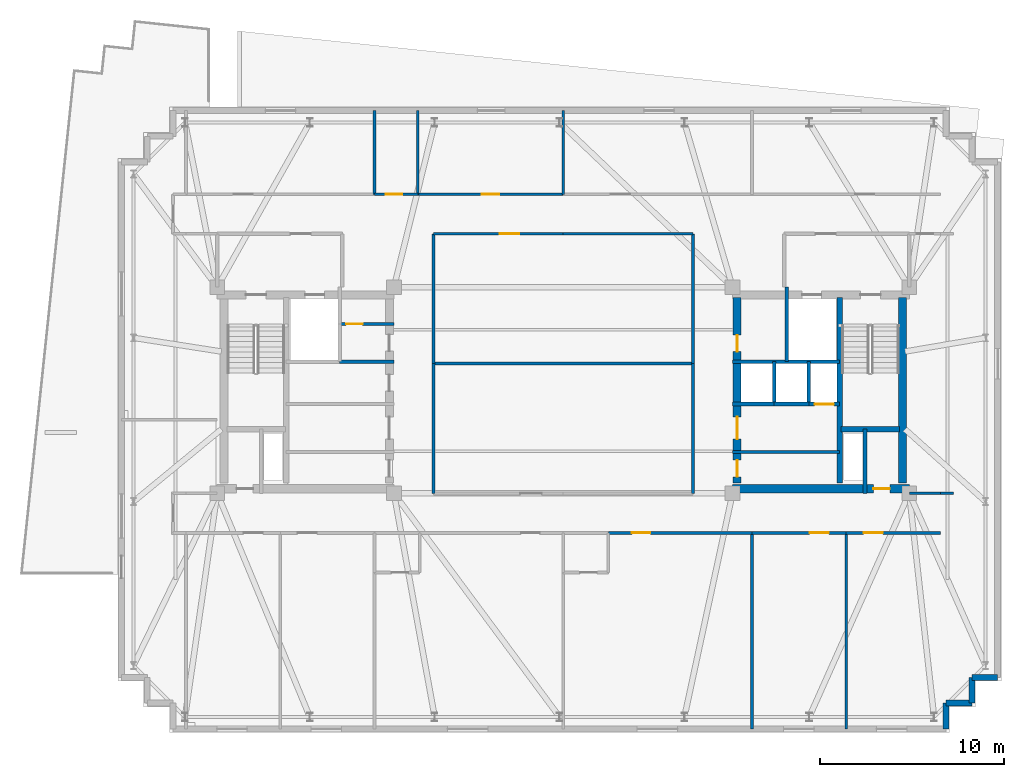
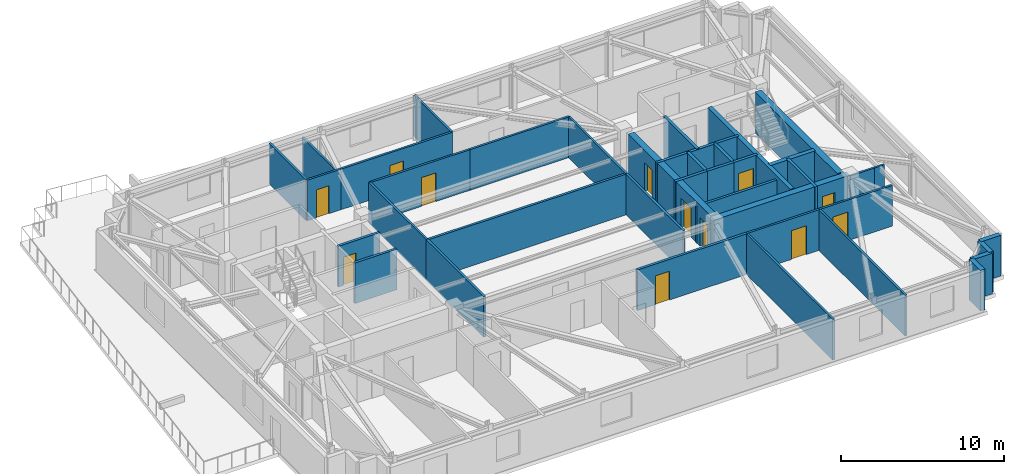
# One storey, part 7 of 12: 39 walls, 12 doors, 12 openings.
"""IFC4 building model written with IfcOpenShell, lengths in metres."""

from ifc_helpers import new_model, si_unit, direction, frame, frame_2d, origin, place, context, subcontext, project, spatial, rectangle, extrude, material, layer, layer_set, type_object, element, fill, save


model = new_model("IFC4")

# Units and contexts
model_context = context("Model", 3, precision=1e-05, world=origin(), true_north=direction((0.0, 1.0)))
body_context = subcontext(model_context, "Body", "Model", "MODEL_VIEW")
ifc_project = project(units=[si_unit("LENGTHUNIT", "METRE"), si_unit("AREAUNIT", "SQUARE_METRE"), si_unit("VOLUMEUNIT", "CUBIC_METRE"), si_unit("PLANEANGLEUNIT", "RADIAN"), si_unit("MASSUNIT", "GRAM", prefix="KILO")], contexts=[model_context])

# Site, building, storey
site_placement = place(None, origin())
site = spatial("IfcSite", under=ifc_project, at=site_placement, CompositionType="ELEMENT")
building_placement = place(site_placement, origin())
building = spatial("IfcBuilding", under=site, at=building_placement, Name="Qobustan Lattice House", CompositionType="ELEMENT")
storey_placement = place(building_placement, frame((0.0, 0.0, 228.300048828125)))
storey = spatial("IfcBuildingStorey", under=building, at=storey_placement, Name="L64", CompositionType="ELEMENT", Elevation=228.300048828125)

# Wall, opening, door
ifc_material_1 = material(Name="Concrete C50/60", Category="concrete")
ifc_layer_1 = layer(ifc_material_1, 0.43994140625)
ifc_layer_set_1 = layer_set([ifc_layer_1], Name="Concrete C50/60")
wall_type_1 = type_object("IfcWallType", Name="WAL-CORE-440", PredefinedType="SHEAR", material=ifc_layer_set_1)
wall_1_placement = place(storey_placement, frame((9.199951171875, -5.35009765625, 0.0), z_axis=(0.0, 0.0, 1.0), x_axis=(1.0, 0.0, 0.0)))
wall_1 = element("IfcWall", 1, at=wall_1_placement, inside=storey, type_object=wall_type_1, Name="L64 split-core shear wall CE-S", PredefinedType="SHEAR", context=body_context, shape_type="SweptSolid", body=[
    extrude(rectangle(XDim=9.60009765625, YDim=0.43994140625, at=frame_2d((4.800048828125, 0.0))), origin(), (0.0, 0.0, 1.0), 3.0400390625),
])
opening_1_placement = place(wall_1_placement, frame((7.64990234375, 0.0, 0.0)))
opening_1 = element("IfcOpeningElement", 2, at=opening_1_placement, cuts=wall_1, Name="Opening RD-01", PredefinedType="OPENING", context=body_context, shape_type="SweptSolid", body=[
    extrude(rectangle(XDim=0.89990234375, YDim=2.10009765625, at=frame_2d((0.449951171875, 1.050048828125))), frame((0.0, 0.22998046875, 0.0), z_axis=(0.0, -1.0, 0.0), x_axis=(1.0, 0.0, 0.0)), (0.0, 0.0, 1.0), 0.4599609375),
])
ifc_material_2 = material(Name="Persian walnut timber and steel frame door", Category="steel")
door_type_1 = type_object("IfcDoorType", Name="DOR-RISER-FD-900x2100", OperationType="NOTDEFINED", PredefinedType="DOOR", material=ifc_material_2)
door_1_placement = place(opening_1_placement, origin())
door_1 = element("IfcDoor", 3, at=door_1_placement, inside=storey, type_object=door_type_1, Name="L64 core service riser access door E", OperationType="SINGLE_SWING_RIGHT", OverallHeight=2.10009765625, OverallWidth=0.89990234375, PredefinedType="DOOR", context=body_context, shape_type="SweptSolid", body=[
    extrude(rectangle(XDim=0.89990234375, YDim=2.10009765625, at=frame_2d((0.449951171875, 1.050048828125))), frame((0.0, 0.02490234375, 0.0), z_axis=(0.0, -1.0, 0.0), x_axis=(1.0, 0.0, 0.0)), (0.0, 0.0, 1.0), 0.050048828125),
])
fill(opening_1, door_1)

# Wall, openings, doors
wall_2_placement = place(storey_placement, frame((9.449951171875, -5.050048828125, 0.0), z_axis=(0.0, 0.0, 1.0), x_axis=(0.0, 1.0, 0.0)))
wall_2 = element("IfcWall", 4, at=wall_2_placement, inside=storey, type_object=wall_type_1, Name="L64 split-core shear wall CE-W", PredefinedType="SHEAR", context=body_context, shape_type="SweptSolid", body=[
    extrude(rectangle(XDim=10.10009765625, YDim=0.43994140625, at=frame_2d((5.050048828125, 0.0))), origin(), (0.0, 0.0, 1.0), 3.0400390625),
])
opening_2_placement = place(wall_2_placement, frame((7.14990234375, 0.0, 0.0)))
opening_2 = element("IfcOpeningElement", 5, at=opening_2_placement, cuts=wall_2, Name="Opening RD-01", PredefinedType="OPENING", context=body_context, shape_type="SweptSolid", body=[
    extrude(rectangle(XDim=0.89990234375, YDim=2.10009765625, at=frame_2d((0.449951171875, 1.050048828125))), frame((0.0, 0.22998046875, 0.0), z_axis=(0.0, -1.0, 0.0), x_axis=(1.0, 0.0, 0.0)), (0.0, 0.0, 1.0), 0.4599609375),
])
opening_3_placement = place(wall_2_placement, frame((2.39990234375, 0.0, 0.0)))
opening_3 = element("IfcOpeningElement", 6, at=opening_3_placement, cuts=wall_2, Name="Opening FD-01", PredefinedType="OPENING", context=body_context, shape_type="SweptSolid", body=[
    extrude(rectangle(XDim=1.199951171875, YDim=2.14990234375, at=frame_2d((0.60009765625, 1.074951171875))), frame((0.0, 0.22998046875, 0.0), z_axis=(0.0, -1.0, 0.0), x_axis=(1.0, 0.0, 0.0)), (0.0, 0.0, 1.0), 0.4599609375),
])
opening_4_placement = place(wall_2_placement, frame((0.35009765625, 0.0, 0.0)))
opening_4 = element("IfcOpeningElement", 7, at=opening_4_placement, cuts=wall_2, Name="Opening RD-01", PredefinedType="OPENING", context=body_context, shape_type="SweptSolid", body=[
    extrude(rectangle(XDim=0.89990234375, YDim=2.10009765625, at=frame_2d((0.449951171875, 1.050048828125))), frame((0.0, 0.22998046875, 0.0), z_axis=(0.0, -1.0, 0.0), x_axis=(1.0, 0.0, 0.0)), (0.0, 0.0, 1.0), 0.4599609375),
])
ifc_material_3 = material(Name="Persian walnut timber and steel frame door", Category="steel")
door_type_2 = type_object("IfcDoorType", Name="DOR-LOBBY-FD-1200x2150", OperationType="NOTDEFINED", PredefinedType="DOOR", material=ifc_material_3)
door_2_placement = place(opening_3_placement, origin())
door_2 = element("IfcDoor", 8, at=door_2_placement, inside=storey, type_object=door_type_2, Name="L64 East passenger lift lobby fire door", OperationType="SINGLE_SWING_LEFT", OverallHeight=2.14990234375, OverallWidth=1.199951171875, PredefinedType="DOOR", context=body_context, shape_type="SweptSolid", body=[
    extrude(rectangle(XDim=1.199951171875, YDim=2.14990234375, at=frame_2d((0.60009765625, 1.074951171875))), frame((0.0, 0.02490234375, 0.0), z_axis=(0.0, -1.0, 0.0), x_axis=(1.0, 0.0, 0.0)), (0.0, 0.0, 1.0), 0.050048828125),
])
fill(opening_3, door_2)
door_3_placement = place(opening_2_placement, origin())
door_3 = element("IfcDoor", 9, at=door_3_placement, inside=storey, type_object=door_type_1, Name="L64 Housekeeping linen store fire door", OperationType="SINGLE_SWING_RIGHT", OverallHeight=2.10009765625, OverallWidth=0.89990234375, PredefinedType="DOOR", context=body_context, shape_type="SweptSolid", body=[
    extrude(rectangle(XDim=0.89990234375, YDim=2.10009765625, at=frame_2d((0.449951171875, 1.050048828125))), frame((0.0, 0.02490234375, 0.0), z_axis=(0.0, -1.0, 0.0), x_axis=(1.0, 0.0, 0.0)), (0.0, 0.0, 1.0), 0.050048828125),
])
fill(opening_2, door_3)
door_4_placement = place(opening_4_placement, origin())
door_4 = element("IfcDoor", 10, at=door_4_placement, inside=storey, type_object=door_type_1, Name="L64 Graduate seminar alcove fire door", OperationType="SINGLE_SWING_RIGHT", OverallHeight=2.10009765625, OverallWidth=0.89990234375, PredefinedType="DOOR", context=body_context, shape_type="SweptSolid", body=[
    extrude(rectangle(XDim=0.89990234375, YDim=2.10009765625, at=frame_2d((0.449951171875, 1.050048828125))), frame((0.0, 0.02490234375, 0.0), z_axis=(0.0, -1.0, 0.0), x_axis=(1.0, 0.0, 0.0)), (0.0, 0.0, 1.0), 0.050048828125),
])
fill(opening_4, door_4)

# Walls
wall_3_placement = place(storey_placement, frame((18.429931640625, -5.050048828125, 0.0), z_axis=(0.0, 0.0, 1.0), x_axis=(0.0, 1.0, 0.0)))
element("IfcWall", 11, at=wall_3_placement, inside=storey, type_object=wall_type_1, Name="L64 split-core shear wall CE-E", PredefinedType="SHEAR", context=body_context, shape_type="SweptSolid", body=[
    extrude(rectangle(XDim=10.10009765625, YDim=0.43994140625, at=frame_2d((5.050048828125, 0.0))), origin(), (0.0, 0.0, 1.0), 3.0400390625),
])
ifc_material_4 = material(Name="Concrete C50/60", Category="concrete")
ifc_layer_2 = layer(ifc_material_4, 0.280029296875)
ifc_layer_set_2 = layer_set([ifc_layer_2], Name="Concrete C50/60")
wall_type_2 = type_object("IfcWallType", Name="WAL-CORE-SPINE-280", PredefinedType="SHEAR", material=ifc_layer_set_2)
wall_4_placement = place(storey_placement, frame((15.02001953125, -5.050048828125, 0.0), z_axis=(0.0, 0.0, 1.0), x_axis=(0.0, 1.0, 0.0)))
element("IfcWall", 12, at=wall_4_placement, inside=storey, type_object=wall_type_2, Name="L64 split-core shear wall CE-M", PredefinedType="SHEAR", context=body_context, shape_type="SweptSolid", body=[
    extrude(rectangle(XDim=10.10009765625, YDim=0.300048828125, at=frame_2d((5.050048828125, 0.0))), origin(), (0.0, 0.0, 1.0), 3.0400390625),
])
wall_5_placement = place(storey_placement, frame((15.10009765625, -2.110107421875, 0.0), z_axis=(0.0, 0.0, 1.0), x_axis=(1.0, 0.0, 0.0)))
element("IfcWall", 13, at=wall_5_placement, inside=storey, type_object=wall_type_2, Name="L64 split-core shear wall CE-ST", PredefinedType="SHEAR", context=body_context, shape_type="SweptSolid", body=[
    extrude(rectangle(XDim=3.179931640625, YDim=0.300048828125, at=frame_2d((1.58984375, 0.0))), origin(), (0.0, 0.0, 1.0), 3.0400390625),
])
ifc_material_5 = material(Name="Precast concrete C40/50", Category="concrete")
ifc_layer_3 = layer(ifc_material_5, 0.320068359375)
ifc_layer_set_3 = layer_set([ifc_layer_3], Name="Precast concrete C40/50")
wall_type_3 = type_object("IfcWallType", Name="WAL-EXT-STONE-320", PredefinedType="SOLIDWALL", material=ifc_layer_set_3)
wall_6_placement = place(storey_placement, frame((23.60009765625, -15.60009765625, 0.0), z_axis=(0.0, 0.0, 1.0), x_axis=(-1.0, 0.0, 0.0)))
element("IfcWall", 14, at=wall_6_placement, inside=storey, type_object=wall_type_3, Name="L64 exterior limestone-clad wall 16", PredefinedType="SOLIDWALL", context=body_context, shape_type="SweptSolid", body=[
    extrude(rectangle(XDim=1.400146484375, YDim=0.320068359375, at=frame_2d((0.7001953125, 0.0))), origin(), (0.0, 0.0, 1.0), 3.0400390625),
])
for number, where, z_axis, x_axis, name in (
    (15, (22.199951171875, -15.60009765625, 0.0), (0.0, 0.0, 1.0), (0.0, -1.0, 0.0), "L64 exterior limestone-clad wall 17"),
    (16, (22.199951171875, -17.0, 0.0), (0.0, 0.0, 1.0), (-1.0, 0.0, 0.0), "L64 exterior limestone-clad wall 18"),
    (17, (20.800048828125, -17.0, 0.0), (0.0, 0.0, 1.0), (0.0, -1.0, 0.0), "L64 exterior limestone-clad wall 19"),
):
    element("IfcWall", number, at=place(storey_placement, frame(where, z_axis=z_axis, x_axis=x_axis)), inside=storey, type_object=wall_type_3, Name=name, PredefinedType="SOLIDWALL", context=body_context, shape_type="SweptSolid", body=[
        extrude(rectangle(XDim=1.39990234375, YDim=0.320068359375, at=frame_2d((0.699951171875, 0.0))), origin(), (0.0, 0.0, 1.0), 3.0400390625),
    ])

# Wall, opening, door
ifc_material_6 = material(Name="Gypsum fireboard acoustic partition", Category="gypsum")
ifc_layer_4 = layer(ifc_material_6, 0.179931640625)
ifc_layer_set_4 = layer_set([ifc_layer_4], Name="Gypsum fireboard acoustic partition")
wall_type_4 = type_object("IfcWallType", Name="WAL-FIRE-180", PredefinedType="PARTITIONING", material=ifc_layer_set_4)
wall_7_placement = place(storey_placement, frame((-9.199951171875, 3.60009765625, 0.0), z_axis=(0.0, 0.0, 1.0), x_axis=(-1.0, 0.0, 0.0)))
wall_7 = element("IfcWall", 18, at=wall_7_placement, inside=storey, type_object=wall_type_4, Name="L64 interior partition 7", PredefinedType="PARTITIONING", context=body_context, shape_type="SweptSolid", body=[
    extrude(rectangle(XDim=2.949951171875, YDim=0.179931640625, at=frame_2d((1.47509765625, 0.0))), origin(), (0.0, 0.0, 1.0), 3.0400390625),
])
opening_5_placement = place(wall_7_placement, frame((1.699951171875, 0.0, 0.0)))
opening_5 = element("IfcOpeningElement", 19, at=opening_5_placement, cuts=wall_7, Name="Opening RD-01", PredefinedType="OPENING", context=body_context, shape_type="SweptSolid", body=[
    extrude(rectangle(XDim=0.89990234375, YDim=2.10009765625, at=frame_2d((0.449951171875, 1.050048828125))), frame((0.0, 0.099853515625, 0.0), z_axis=(0.0, -1.0, 0.0), x_axis=(1.0, 0.0, 0.0)), (0.0, 0.0, 1.0), 0.199951171875),
])
door_5_placement = place(opening_5_placement, origin())
door_5 = element("IfcDoor", 20, at=door_5_placement, inside=storey, type_object=door_type_1, Name="L64 Core utility lobby to Cleaner store door", OperationType="SINGLE_SWING_RIGHT", OverallHeight=2.10009765625, OverallWidth=0.89990234375, PredefinedType="DOOR", context=body_context, shape_type="SweptSolid", body=[
    extrude(rectangle(XDim=0.89990234375, YDim=2.10009765625, at=frame_2d((0.449951171875, 1.050048828125))), frame((0.0, 0.02490234375, 0.0), z_axis=(0.0, -1.0, 0.0), x_axis=(1.0, 0.0, 0.0)), (0.0, 0.0, 1.0), 0.050048828125),
])
fill(opening_5, door_5)

# Walls
wall_8_placement = place(storey_placement, frame((-12.14990234375, 1.550048828125, 0.0), z_axis=(0.0, 0.0, 1.0), x_axis=(1.0, 0.0, 0.0)))
element("IfcWall", 21, at=wall_8_placement, inside=storey, type_object=wall_type_4, Name="L64 interior partition 8", PredefinedType="PARTITIONING", context=body_context, shape_type="SweptSolid", body=[
    extrude(rectangle(XDim=2.949951171875, YDim=0.179931640625, at=frame_2d((1.47509765625, 0.0))), origin(), (0.0, 0.0, 1.0), 3.0400390625),
])
wall_9_placement = place(storey_placement, frame((9.199951171875, -3.35009765625, 0.0), z_axis=(0.0, 0.0, 1.0), x_axis=(1.0, 0.0, 0.0)))
element("IfcWall", 22, at=wall_9_placement, inside=storey, type_object=wall_type_4, Name="L64 interior partition 21", PredefinedType="PARTITIONING", context=body_context, shape_type="SweptSolid", body=[
    extrude(rectangle(XDim=5.820068359375, YDim=0.179931640625, at=frame_2d((2.91015625, 0.0))), origin(), (0.0, 0.0, 1.0), 2.7548828125),
])

# Wall, opening, door
wall_10_placement = place(storey_placement, frame((10.25, -7.75, 0.0), z_axis=(0.0, 0.0, 1.0), x_axis=(-1.0, 0.0, 0.0)))
wall_10 = element("IfcWall", 23, at=wall_10_placement, inside=storey, type_object=wall_type_4, Name="L64 interior partition 53", PredefinedType="PARTITIONING", context=body_context, shape_type="SweptSolid", body=[
    extrude(rectangle(XDim=7.800048828125, YDim=0.179931640625, at=frame_2d((3.89990234375, 0.0))), origin(), (0.0, 0.0, 1.0), 3.0400390625),
])
opening_6_placement = place(wall_10_placement, frame((5.514892578125, 0.0, 0.0)))
opening_6 = element("IfcOpeningElement", 24, at=opening_6_placement, cuts=wall_10, Name="Opening FD-02", PredefinedType="OPENING", context=body_context, shape_type="SweptSolid", body=[
    extrude(rectangle(XDim=1.0, YDim=2.14990234375, at=frame_2d((0.5, 1.074951171875))), frame((0.0, 0.099853515625, 0.0), z_axis=(0.0, -1.0, 0.0), x_axis=(1.0, 0.0, 0.0)), (0.0, 0.0, 1.0), 0.199951171875),
])
ifc_material_7 = material(Name="Persian walnut timber and steel frame door", Category="steel")
door_type_3 = type_object("IfcDoorType", Name="DOR-UNIT-FD-1000x2150", OperationType="NOTDEFINED", PredefinedType="DOOR", material=ifc_material_7)
door_6_placement = place(opening_6_placement, origin())
door_6 = element("IfcDoor", 25, at=door_6_placement, inside=storey, type_object=door_type_3, Name="L64 South-east floor corridor to Kitchenette and studio apartment L64-S3 door", OperationType="SINGLE_SWING_RIGHT", OverallHeight=2.14990234375, OverallWidth=1.0, PredefinedType="DOOR", context=body_context, shape_type="SweptSolid", body=[
    extrude(rectangle(XDim=1.0, YDim=2.14990234375, at=frame_2d((0.5, 1.074951171875))), frame((0.0, 0.02490234375, 0.0), z_axis=(0.0, -1.0, 0.0), x_axis=(1.0, 0.0, 0.0)), (0.0, 0.0, 1.0), 0.050048828125),
])
fill(opening_6, door_6)

ifc_material_8 = material(Name="Acoustic twin-stud gypsum partition", Category="gypsum")
ifc_layer_5 = layer(ifc_material_8, 0.14990234375)
ifc_layer_set_5 = layer_set([ifc_layer_5], Name="Acoustic twin-stud gypsum partition")
wall_type_5 = type_object("IfcWallType", Name="WAL-PART-150", PredefinedType="PARTITIONING", material=ifc_layer_set_5)
wall_11_placement = place(storey_placement, frame((-7.89990234375, 10.64990234375, 0.0), z_axis=(0.0, 0.0, 1.0), x_axis=(1.0, 0.0, 0.0)))
wall_11 = element("IfcWall", 26, at=wall_11_placement, inside=storey, type_object=wall_type_5, Name="L64 interior partition 35", PredefinedType="PARTITIONING", context=body_context, shape_type="SweptSolid", body=[
    extrude(rectangle(XDim=7.89990234375, YDim=0.14990234375, at=frame_2d((3.949951171875, 0.0))), origin(), (0.0, 0.0, 1.0), 3.0400390625),
])
opening_7_placement = place(wall_11_placement, frame((3.47509765625, 0.0, 0.0)))
opening_7 = element("IfcOpeningElement", 27, at=opening_7_placement, cuts=wall_11, Name="Opening ID-01", PredefinedType="OPENING", context=body_context, shape_type="SweptSolid", body=[
    extrude(rectangle(XDim=0.949951171875, YDim=2.10009765625, at=frame_2d((0.47509765625, 1.050048828125))), frame((0.0, 0.0849609375, 0.0), z_axis=(0.0, -1.0, 0.0), x_axis=(1.0, 0.0, 0.0)), (0.0, 0.0, 1.0), 0.169921875),
])
ifc_material_9 = material(Name="Persian walnut timber and steel frame door", Category="steel")
door_type_4 = type_object("IfcDoorType", Name="DOR-ROOM-950x2100", OperationType="NOTDEFINED", PredefinedType="DOOR", material=ifc_material_9)
door_7_placement = place(opening_7_placement, origin())
door_7 = element("IfcDoor", 28, at=door_7_placement, inside=storey, type_object=door_type_4, Name="L64 North-west floor corridor to Laundry utility room door", OperationType="SINGLE_SWING_RIGHT", OverallHeight=2.10009765625, OverallWidth=0.949951171875, PredefinedType="DOOR", context=body_context, shape_type="SweptSolid", body=[
    extrude(rectangle(XDim=0.949951171875, YDim=2.10009765625, at=frame_2d((0.47509765625, 1.050048828125))), frame((0.0, 0.02490234375, 0.0), z_axis=(0.0, -1.0, 0.0), x_axis=(1.0, 0.0, 0.0)), (0.0, 0.0, 1.0), 0.050048828125),
])
fill(opening_7, door_7)

wall_12_placement = place(storey_placement, frame((0.0, 8.5, 0.0), z_axis=(0.0, 0.0, 1.0), x_axis=(-1.0, 0.0, 0.0)))
wall_12 = element("IfcWall", 29, at=wall_12_placement, inside=storey, type_object=wall_type_5, Name="L64 interior partition 36", PredefinedType="PARTITIONING", context=body_context, shape_type="SweptSolid", body=[
    extrude(rectangle(XDim=7.050048828125, YDim=0.14990234375, at=frame_2d((3.52490234375, 0.0))), origin(), (0.0, 0.0, 1.0), 3.0400390625),
])
opening_8_placement = place(wall_12_placement, frame((2.39501953125, 0.0, 0.0)))
opening_8 = element("IfcOpeningElement", 30, at=opening_8_placement, cuts=wall_12, Name="Opening ID-02", PredefinedType="OPENING", context=body_context, shape_type="SweptSolid", body=[
    extrude(rectangle(XDim=1.050048828125, YDim=2.14990234375, at=frame_2d((0.52490234375, 1.074951171875))), frame((0.0, 0.0849609375, 0.0), z_axis=(0.0, -1.0, 0.0), x_axis=(1.0, 0.0, 0.0)), (0.0, 0.0, 1.0), 0.169921875),
])
ifc_material_10 = material(Name="Persian walnut timber and steel frame door", Category="steel")
door_type_5 = type_object("IfcDoorType", Name="DOR-STUDY-1050x2150", OperationType="NOTDEFINED", PredefinedType="DOOR", material=ifc_material_10)
door_8_placement = place(opening_8_placement, origin())
door_8 = element("IfcDoor", 31, at=door_8_placement, inside=storey, type_object=door_type_5, Name="L64 North-west floor corridor to Central collaborative study room door", OperationType="SINGLE_SWING_LEFT", OverallHeight=2.14990234375, OverallWidth=1.050048828125, PredefinedType="DOOR", context=body_context, shape_type="SweptSolid", body=[
    extrude(rectangle(XDim=1.050048828125, YDim=2.14990234375, at=frame_2d((0.52490234375, 1.074951171875))), frame((0.0, 0.02490234375, 0.0), z_axis=(0.0, -1.0, 0.0), x_axis=(1.0, 0.0, 0.0)), (0.0, 0.0, 1.0), 0.050048828125),
])
fill(opening_8, door_8)

# Walls
wall_13_placement = place(storey_placement, frame((7.050048828125, 8.5, 0.0), z_axis=(0.0, 0.0, 1.0), x_axis=(-1.0, 0.0, 0.0)))
element("IfcWall", 32, at=wall_13_placement, inside=storey, type_object=wall_type_5, Name="L64 interior partition 41", PredefinedType="PARTITIONING", context=body_context, shape_type="SweptSolid", body=[
    extrude(rectangle(XDim=7.050048828125, YDim=0.14990234375, at=frame_2d((3.52490234375, 0.0))), origin(), (0.0, 0.0, 1.0), 3.0400390625),
])
wall_14_placement = place(storey_placement, frame((18.800048828125, -5.60009765625, 0.0), z_axis=(0.0, 0.0, 1.0), x_axis=(1.0, 0.0, 0.0)))
element("IfcWall", 33, at=wall_14_placement, inside=storey, type_object=wall_type_5, Name="L64 interior partition 51", PredefinedType="PARTITIONING", context=body_context, shape_type="SweptSolid", body=[
    extrude(rectangle(XDim=1.699951171875, YDim=0.14990234375, at=frame_2d((0.85009765625, 0.0))), origin(), (0.0, 0.0, 1.0), 3.0400390625),
])
wall_15_placement = place(storey_placement, frame((20.5, -5.60009765625, 0.0), z_axis=(0.0, 0.0, 1.0), x_axis=(1.0, 0.0, 0.0)))
element("IfcWall", 34, at=wall_15_placement, inside=storey, type_object=wall_type_5, Name="L64 interior partition 52", PredefinedType="PARTITIONING", context=body_context, shape_type="SweptSolid", body=[
    extrude(rectangle(XDim=0.699951171875, YDim=0.14990234375, at=frame_2d((0.35009765625, 0.0))), origin(), (0.0, 0.0, 1.0), 3.0400390625),
])

# Wall, opening, door
wall_16_placement = place(storey_placement, frame((15.375, -7.75, 0.0), z_axis=(0.0, 0.0, 1.0), x_axis=(-1.0, 0.0, 0.0)))
wall_16 = element("IfcWall", 35, at=wall_16_placement, inside=storey, type_object=wall_type_5, Name="L64 interior partition 55", PredefinedType="PARTITIONING", context=body_context, shape_type="SweptSolid", body=[
    extrude(rectangle(XDim=5.125, YDim=0.14990234375, at=frame_2d((2.5625, 0.0))), origin(), (0.0, 0.0, 1.0), 3.0400390625),
])
opening_9_placement = place(wall_16_placement, frame((0.9443359375, 0.0, 0.0)))
opening_9 = element("IfcOpeningElement", 36, at=opening_9_placement, cuts=wall_16, Name="Opening ID-02", PredefinedType="OPENING", context=body_context, shape_type="SweptSolid", body=[
    extrude(rectangle(XDim=1.050048828125, YDim=2.14990234375, at=frame_2d((0.52490234375, 1.074951171875))), frame((0.0, 0.0849609375, 0.0), z_axis=(0.0, -1.0, 0.0), x_axis=(1.0, 0.0, 0.0)), (0.0, 0.0, 1.0), 0.169921875),
])
door_9_placement = place(opening_9_placement, origin())
door_9 = element("IfcDoor", 37, at=door_9_placement, inside=storey, type_object=door_type_5, Name="L64 South-east floor corridor to Group study room door", OperationType="SINGLE_SWING_LEFT", OverallHeight=2.14990234375, OverallWidth=1.050048828125, PredefinedType="DOOR", context=body_context, shape_type="SweptSolid", body=[
    extrude(rectangle(XDim=1.050048828125, YDim=2.14990234375, at=frame_2d((0.52490234375, 1.074951171875))), frame((0.0, 0.02490234375, 0.0), z_axis=(0.0, -1.0, 0.0), x_axis=(1.0, 0.0, 0.0)), (0.0, 0.0, 1.0), 0.050048828125),
])
fill(opening_9, door_9)

wall_17_placement = place(storey_placement, frame((20.5, -7.75, 0.0), z_axis=(0.0, 0.0, 1.0), x_axis=(-1.0, 0.0, 0.0)))
wall_17 = element("IfcWall", 38, at=wall_17_placement, inside=storey, type_object=wall_type_5, Name="L64 interior partition 56", PredefinedType="PARTITIONING", context=body_context, shape_type="SweptSolid", body=[
    extrude(rectangle(XDim=5.125, YDim=0.14990234375, at=frame_2d((2.5625, 0.0))), origin(), (0.0, 0.0, 1.0), 3.0400390625),
])
opening_10_placement = place(wall_17_placement, frame((3.130615234375, 0.0, 0.0)))
opening_10 = element("IfcOpeningElement", 39, at=opening_10_placement, cuts=wall_17, Name="Opening ID-02", PredefinedType="OPENING", context=body_context, shape_type="SweptSolid", body=[
    extrude(rectangle(XDim=1.050048828125, YDim=2.14990234375, at=frame_2d((0.52490234375, 1.074951171875))), frame((0.0, 0.0849609375, 0.0), z_axis=(0.0, -1.0, 0.0), x_axis=(1.0, 0.0, 0.0)), (0.0, 0.0, 1.0), 0.169921875),
])
door_10_placement = place(opening_10_placement, origin())
door_10 = element("IfcDoor", 40, at=door_10_placement, inside=storey, type_object=door_type_5, Name="L64 South-east floor corridor to Academic seminar room door", OperationType="SINGLE_SWING_RIGHT", OverallHeight=2.14990234375, OverallWidth=1.050048828125, PredefinedType="DOOR", context=body_context, shape_type="SweptSolid", body=[
    extrude(rectangle(XDim=1.050048828125, YDim=2.14990234375, at=frame_2d((0.52490234375, 1.074951171875))), frame((0.0, 0.02490234375, 0.0), z_axis=(0.0, -1.0, 0.0), x_axis=(1.0, 0.0, 0.0)), (0.0, 0.0, 1.0), 0.050048828125),
])
fill(opening_10, door_10)

# Walls
for number, where, z_axis, x_axis, name in (
    (41, (-7.050048828125, 8.5, 0.0), (0.0, 0.0, 1.0), (0.0, -1.0, 0.0), "L64 interior partition 59"),
    (42, (7.050048828125, 1.449951171875, 0.0), (0.0, 0.0, 1.0), (0.0, 1.0, 0.0), "L64 interior partition 61"),
):
    element("IfcWall", number, at=place(storey_placement, frame(where, z_axis=z_axis, x_axis=x_axis)), inside=storey, type_object=wall_type_5, Name=name, PredefinedType="PARTITIONING", context=body_context, shape_type="SweptSolid", body=[
        extrude(rectangle(XDim=7.050048828125, YDim=0.14990234375, at=frame_2d((3.52490234375, 0.0))), origin(), (0.0, 0.0, 1.0), 3.0400390625),
    ])
wall_18_placement = place(storey_placement, frame((0.0, 15.199951171875, 0.0), z_axis=(0.0, 0.0, 1.0), x_axis=(0.0, -1.0, 0.0)))
element("IfcWall", 43, at=wall_18_placement, inside=storey, type_object=wall_type_5, Name="L64 interior partition 67", PredefinedType="PARTITIONING", context=body_context, shape_type="SweptSolid", body=[
    extrude(rectangle(XDim=4.550048828125, YDim=0.14990234375, at=frame_2d((2.27490234375, 0.0))), origin(), (0.0, 0.0, 1.0), 3.0400390625),
])
for number, where, z_axis, x_axis, name in (
    (44, (10.25, -7.75, 0.0), (0.0, 0.0, 1.0), (0.0, -1.0, 0.0), "L64 interior partition 78"),
    (45, (15.375, -7.75, 0.0), (0.0, 0.0, 1.0), (0.0, -1.0, 0.0), "L64 interior partition 79"),
):
    element("IfcWall", number, at=place(storey_placement, frame(where, z_axis=z_axis, x_axis=x_axis)), inside=storey, type_object=wall_type_5, Name=name, PredefinedType="PARTITIONING", context=body_context, shape_type="SweptSolid", body=[
        extrude(rectangle(XDim=10.64990234375, YDim=0.14990234375, at=frame_2d((5.324951171875, 0.0))), origin(), (0.0, 0.0, 1.0), 3.0400390625),
    ])
ifc_material_11 = material(Name="High-mass acoustic twin-stud partition", Category="gypsum")
ifc_layer_6 = layer(ifc_material_11, 0.1650390625)
ifc_layer_set_6 = layer_set([ifc_layer_6], Name="High-mass acoustic twin-stud partition")
wall_type_6 = type_object("IfcWallType", Name="WAL-PART-165", PredefinedType="PARTITIONING", material=ifc_layer_set_6)
for number, where, z_axis, x_axis, name in (
    (46, (-7.050048828125, 1.449951171875, 0.0), (0.0, 0.0, 1.0), (0.0, -1.0, 0.0), "L64 interior partition 58"),
    (47, (7.050048828125, -5.60009765625, 0.0), (0.0, 0.0, 1.0), (0.0, 1.0, 0.0), "L64 interior partition 60"),
):
    element("IfcWall", number, at=place(storey_placement, frame(where, z_axis=z_axis, x_axis=x_axis)), inside=storey, type_object=wall_type_6, Name=name, PredefinedType="PARTITIONING", context=body_context, shape_type="SweptSolid", body=[
        extrude(rectangle(XDim=7.050048828125, YDim=0.1650390625, at=frame_2d((3.52490234375, 0.0))), origin(), (0.0, 0.0, 1.0), 3.0400390625),
    ])
wall_19_placement = place(storey_placement, frame((-7.050048828125, 1.449951171875, 0.0), z_axis=(0.0, 0.0, 1.0), x_axis=(1.0, 0.0, 0.0)))
element("IfcWall", 48, at=wall_19_placement, inside=storey, type_object=wall_type_6, Name="L64 interior partition 80", PredefinedType="PARTITIONING", context=body_context, shape_type="SweptSolid", body=[
    extrude(rectangle(XDim=14.10009765625, YDim=0.1650390625, at=frame_2d((7.050048828125, 0.0))), origin(), (0.0, 0.0, 1.0), 3.0400390625),
])
ifc_material_12 = material(Name="Concrete C40/50", Category="concrete")
ifc_layer_7 = layer(ifc_material_12, 0.199951171875)
ifc_layer_set_7 = layer_set([ifc_layer_7], Name="Concrete C40/50")
wall_type_7 = type_object("IfcWallType", Name="WAL-SHAFT-200", PredefinedType="PARTITIONING", material=ifc_layer_set_7)
wall_20_placement = place(storey_placement, frame((16.39990234375, -2.110107421875, 0.0), z_axis=(0.0, 0.0, 1.0), x_axis=(0.0, -1.0, 0.0)))
element("IfcWall", 49, at=wall_20_placement, inside=storey, type_object=wall_type_7, Name="L64 interior partition 15", PredefinedType="PARTITIONING", context=body_context, shape_type="SweptSolid", body=[
    extrude(rectangle(XDim=3.489990234375, YDim=0.199951171875, at=frame_2d((1.7451171875, 0.0))), origin(), (0.0, 0.0, 1.0), 3.0400390625),
])
wall_21_placement = place(storey_placement, frame((12.14990234375, 5.60009765625, 0.0), z_axis=(0.0, 0.0, 1.0), x_axis=(0.0, -1.0, 0.0)))
element("IfcWall", 50, at=wall_21_placement, inside=storey, type_object=wall_type_7, Name="L64 interior partition 16", PredefinedType="PARTITIONING", context=body_context, shape_type="SweptSolid", body=[
    extrude(rectangle(XDim=4.050048828125, YDim=0.199951171875, at=frame_2d((2.02490234375, 0.0))), origin(), (0.0, 0.0, 1.0), 3.0400390625),
])
wall_22_placement = place(storey_placement, frame((11.4599609375, -0.75, 0.0), z_axis=(0.0, 0.0, 1.0), x_axis=(-1.0, 0.0, 0.0)))
element("IfcWall", 51, at=wall_22_placement, inside=storey, type_object=wall_type_7, Name="L64 interior partition 22", PredefinedType="PARTITIONING", context=body_context, shape_type="SweptSolid", body=[
    extrude(rectangle(XDim=2.260009765625, YDim=0.199951171875, at=frame_2d((1.1298828125, 0.0))), origin(), (0.0, 0.0, 1.0), 3.0400390625),
])
wall_23_placement = place(storey_placement, frame((13.340087890625, -0.75, 0.0), z_axis=(0.0, 0.0, 1.0), x_axis=(-1.0, 0.0, 0.0)))
element("IfcWall", 52, at=wall_23_placement, inside=storey, type_object=wall_type_7, Name="L64 interior partition 23", PredefinedType="PARTITIONING", context=body_context, shape_type="SweptSolid", body=[
    extrude(rectangle(XDim=1.880126953125, YDim=0.199951171875, at=frame_2d((0.93994140625, 0.0))), origin(), (0.0, 0.0, 1.0), 3.0400390625),
])

# Wall, opening, door
wall_24_placement = place(storey_placement, frame((15.02001953125, -0.75, 0.0), z_axis=(0.0, 0.0, 1.0), x_axis=(-1.0, 0.0, 0.0)))
wall_24 = element("IfcWall", 53, at=wall_24_placement, inside=storey, type_object=wall_type_7, Name="L64 interior partition 24", PredefinedType="PARTITIONING", context=body_context, shape_type="SweptSolid", body=[
    extrude(rectangle(XDim=1.679931640625, YDim=0.199951171875, at=frame_2d((0.83984375, 0.0))), origin(), (0.0, 0.0, 1.0), 3.0400390625),
])
opening_11_placement = place(wall_24_placement, frame((0.31494140625, 0.0, 0.0)))
opening_11 = element("IfcOpeningElement", 54, at=opening_11_placement, cuts=wall_24, Name="Opening LD-01", PredefinedType="OPENING", context=body_context, shape_type="SweptSolid", body=[
    extrude(rectangle(XDim=1.050048828125, YDim=2.10009765625, at=frame_2d((0.52490234375, 1.050048828125))), frame((0.0, 0.10986328125, 0.0), z_axis=(0.0, -1.0, 0.0), x_axis=(1.0, 0.0, 0.0)), (0.0, 0.0, 1.0), 0.219970703125),
])
ifc_material_13 = material(Name="Persian walnut timber and steel frame door", Category="steel")
door_type_6 = type_object("IfcDoorType", Name="DOR-LIFT-LD-1050x2100", OperationType="NOTDEFINED", PredefinedType="DOOR", material=ifc_material_13)
door_11_placement = place(opening_11_placement, origin())
door_11 = element("IfcDoor", 55, at=door_11_placement, inside=storey, type_object=door_type_6, Name="L64 lift landing door", OperationType="DOUBLE_DOOR_SLIDING", OverallHeight=2.10009765625, OverallWidth=1.050048828125, PredefinedType="DOOR", context=body_context, shape_type="SweptSolid", body=[
    extrude(rectangle(XDim=1.050048828125, YDim=2.10009765625, at=frame_2d((0.52490234375, 1.050048828125))), frame((0.0, 0.02490234375, 0.0), z_axis=(0.0, -1.0, 0.0), x_axis=(1.0, 0.0, 0.0)), (0.0, 0.0, 1.0), 0.050048828125),
])
fill(opening_11, door_11)

# Walls
for number, where, z_axis, x_axis, name in (
    (56, (11.4599609375, -0.75, 0.0), (0.0, 0.0, 1.0), (0.0, 1.0, 0.0), "L64 interior partition 27"),
    (57, (13.340087890625, -0.75, 0.0), (0.0, 0.0, 1.0), (0.0, 1.0, 0.0), "L64 interior partition 28"),
):
    element("IfcWall", number, at=place(storey_placement, frame(where, z_axis=z_axis, x_axis=x_axis)), inside=storey, type_object=wall_type_7, Name=name, PredefinedType="PARTITIONING", context=body_context, shape_type="SweptSolid", body=[
        extrude(rectangle(XDim=2.300048828125, YDim=0.199951171875, at=frame_2d((1.14990234375, 0.0))), origin(), (0.0, 0.0, 1.0), 3.0400390625),
    ])
wall_25_placement = place(storey_placement, frame((9.199951171875, 1.550048828125, 0.0), z_axis=(0.0, 0.0, 1.0), x_axis=(1.0, 0.0, 0.0)))
element("IfcWall", 58, at=wall_25_placement, inside=storey, type_object=wall_type_7, Name="L64 interior partition 82", PredefinedType="PARTITIONING", context=body_context, shape_type="SweptSolid", body=[
    extrude(rectangle(XDim=5.820068359375, YDim=0.199951171875, at=frame_2d((2.91015625, 0.0))), origin(), (0.0, 0.0, 1.0), 3.0400390625),
])

# Wall, opening, door
ifc_material_14 = material(Name="Moisture-resistant acoustic plumbing wall", Category="gypsum")
ifc_layer_8 = layer(ifc_material_14, 0.14990234375)
ifc_layer_set_8 = layer_set([ifc_layer_8], Name="Moisture-resistant acoustic plumbing wall")
wall_type_8 = type_object("IfcWallType", Name="WAL-WET-150", PredefinedType="PLUMBINGWALL", material=ifc_layer_set_8)
wall_26_placement = place(storey_placement, frame((-10.25, 10.64990234375, 0.0), z_axis=(0.0, 0.0, 1.0), x_axis=(1.0, 0.0, 0.0)))
wall_26 = element("IfcWall", 59, at=wall_26_placement, inside=storey, type_object=wall_type_8, Name="L64 interior partition 34", PredefinedType="PLUMBINGWALL", context=body_context, shape_type="SweptSolid", body=[
    extrude(rectangle(XDim=2.35009765625, YDim=0.14990234375, at=frame_2d((1.175048828125, 0.0))), origin(), (0.0, 0.0, 1.0), 3.0400390625),
])
opening_12_placement = place(wall_26_placement, frame((0.6162109375, 0.0, 0.0)))
opening_12 = element("IfcOpeningElement", 60, at=opening_12_placement, cuts=wall_26, Name="Opening WD-01", PredefinedType="OPENING", context=body_context, shape_type="SweptSolid", body=[
    extrude(rectangle(XDim=0.89990234375, YDim=2.10009765625, at=frame_2d((0.449951171875, 1.050048828125))), frame((0.0, 0.0849609375, 0.0), z_axis=(0.0, -1.0, 0.0), x_axis=(1.0, 0.0, 0.0)), (0.0, 0.0, 1.0), 0.169921875),
])
ifc_material_15 = material(Name="Persian walnut timber and steel frame door", Category="steel")
door_type_7 = type_object("IfcDoorType", Name="DOR-WET-900x2100", OperationType="NOTDEFINED", PredefinedType="DOOR", material=ifc_material_15)
door_12_placement = place(opening_12_placement, origin())
door_12 = element("IfcDoor", 61, at=door_12_placement, inside=storey, type_object=door_type_7, Name="L64 North-west floor corridor to Accessible WC door", OperationType="SINGLE_SWING_LEFT", OverallHeight=2.10009765625, OverallWidth=0.89990234375, PredefinedType="DOOR", context=body_context, shape_type="SweptSolid", body=[
    extrude(rectangle(XDim=0.89990234375, YDim=2.10009765625, at=frame_2d((0.449951171875, 1.050048828125))), frame((0.0, 0.02490234375, 0.0), z_axis=(0.0, -1.0, 0.0), x_axis=(1.0, 0.0, 0.0)), (0.0, 0.0, 1.0), 0.050048828125),
])
fill(opening_12, door_12)

# Walls
wall_27_placement = place(storey_placement, frame((-10.25, 15.199951171875, 0.0), z_axis=(0.0, 0.0, 1.0), x_axis=(0.0, -1.0, 0.0)))
element("IfcWall", 62, at=wall_27_placement, inside=storey, type_object=wall_type_8, Name="L64 interior partition 65", PredefinedType="PLUMBINGWALL", context=body_context, shape_type="SweptSolid", body=[
    extrude(rectangle(XDim=4.550048828125, YDim=0.14990234375, at=frame_2d((2.27490234375, 0.0))), origin(), (0.0, 0.0, 1.0), 3.0400390625),
])
wall_28_placement = place(storey_placement, frame((-7.89990234375, 15.199951171875, 0.0), z_axis=(0.0, 0.0, 1.0), x_axis=(0.0, -1.0, 0.0)))
element("IfcWall", 63, at=wall_28_placement, inside=storey, type_object=wall_type_8, Name="L64 interior partition 66", PredefinedType="PLUMBINGWALL", context=body_context, shape_type="SweptSolid", body=[
    extrude(rectangle(XDim=4.550048828125, YDim=0.14990234375, at=frame_2d((2.27490234375, 0.0))), origin(), (0.0, 0.0, 1.0), 2.6650390625),
])

save(model, "model.ifc")
